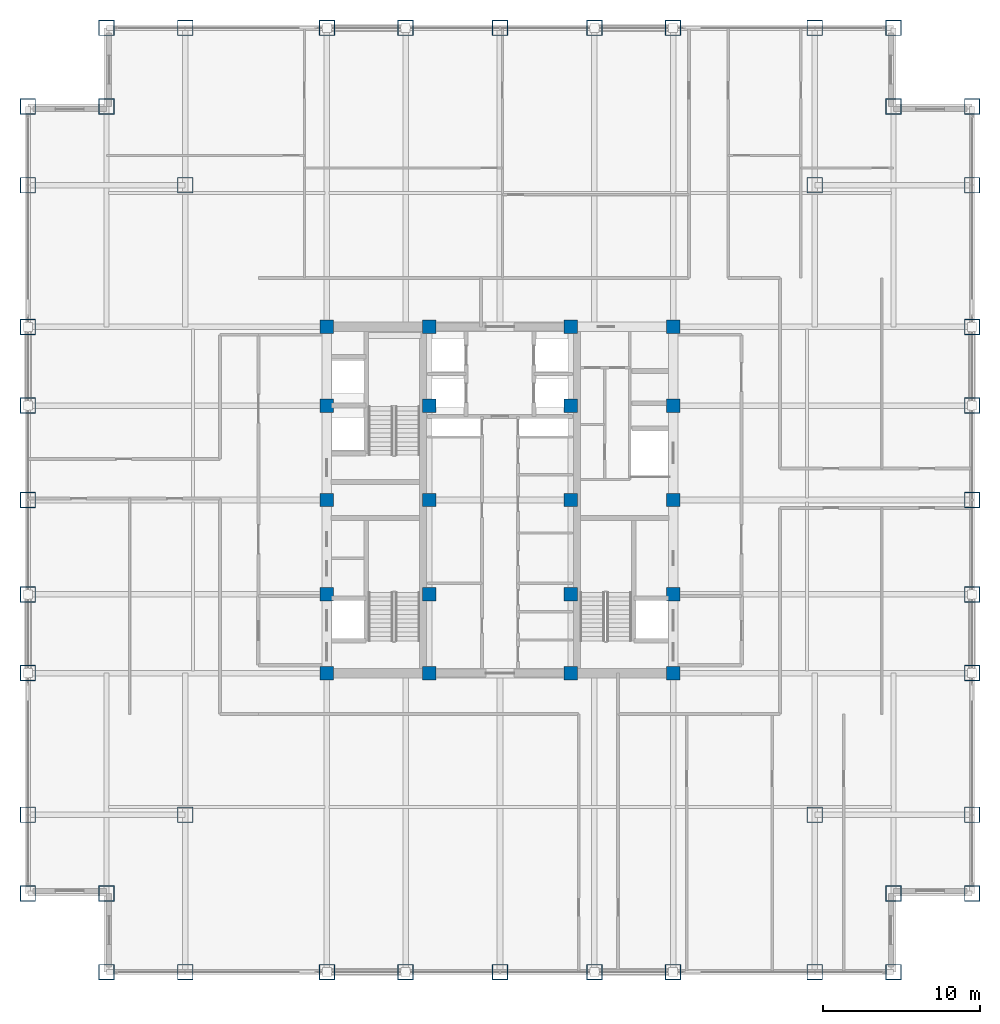
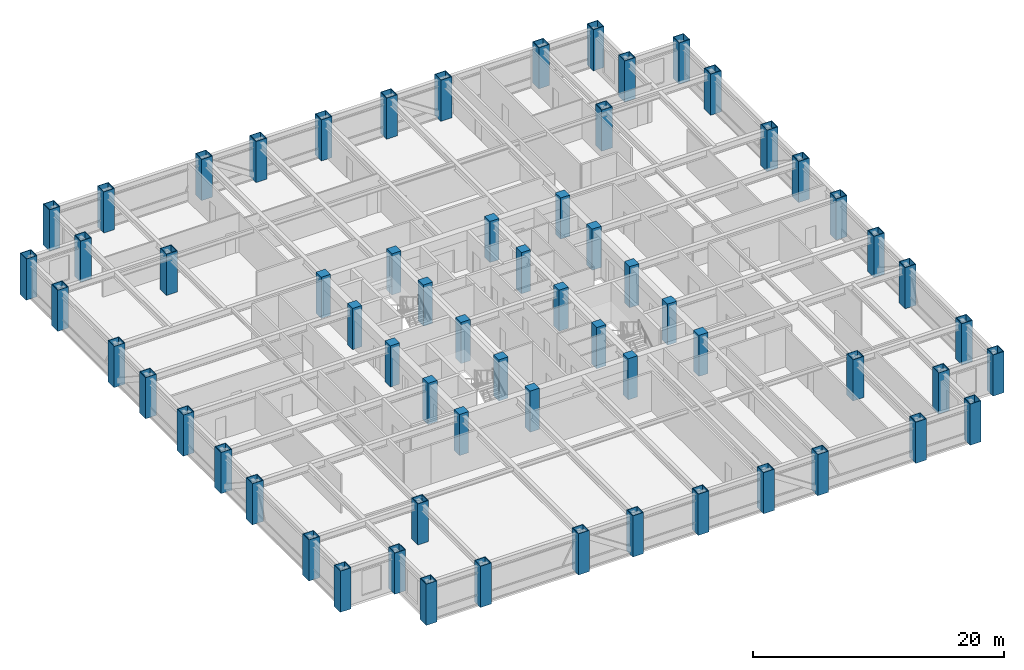
# One storey, part 1 of 25: 64 columns.
"""IFC4 building model written with IfcOpenShell, lengths in metres."""

import ifcopenshell
import ifcopenshell.guid

model = None  # the IFC model being written
_history = None  # IfcOwnerHistory: only IFC2X3 demands one
_inside = {}  # id of a spatial element -> (the spatial element, [elements in it])
_under = {}  # id of a project, library or spatial element -> (it, [spatial elements below it])
_declared = {}  # id of a project -> (the project, [libraries it declares])
_typed = {}  # id of a type object -> (the type object, [elements of that type])
_made_of = {}  # id of a material, layer set ... -> (it, [elements and type objects made of it])


def new_model(schema):
    """Start an empty IFC model of exactly this schema.

    Asked for "IFC4X3", IfcOpenShell would pick the latest addendum, in which some entities
    have other attributes; the version numbers below select the first issue.
    IFC2X3 requires an IfcOwnerHistory on every rooted entity: one is made here for all.
    """
    global model, _history
    if schema == "IFC4X3":
        model = ifcopenshell.file(schema_version=(4, 3, 0, 0))
    else:
        model = ifcopenshell.file(schema=schema)
    _inside.clear()
    _under.clear()
    _declared.clear()
    _typed.clear()
    _made_of.clear()
    _history = None
    if model.schema == "IFC2X3":
        org = make("IfcOrganization", Name="unknown")
        user = make(
            "IfcPersonAndOrganization",
            ThePerson=make("IfcPerson", FamilyName="unknown"),
            TheOrganization=org,
        )
        app = make(
            "IfcApplication",
            ApplicationDeveloper=org,
            Version="unknown",
            ApplicationFullName="unknown",
            ApplicationIdentifier="unknown",
        )
        _history = make(
            "IfcOwnerHistory",
            OwningUser=user,
            OwningApplication=app,
            ChangeAction="ADDED",
            CreationDate=0,
        )
    return model


def make(cls, **values):
    """One entity of the class cls with the attributes given. An attribute that is None is left unset."""
    return model.create_entity(
        cls, **{name: value for name, value in values.items() if value is not None}
    )


def rooted(cls, **values):
    """An entity with a GlobalId (a new one), such as an element, a storey or a relation."""
    return make(cls, GlobalId=ifcopenshell.guid.new(), OwnerHistory=_history, **values)


def si_unit(unit_type, name, prefix=None):
    """IfcSIUnit, for example si_unit("LENGTHUNIT", "METRE", prefix="MILLI")."""
    return make("IfcSIUnit", UnitType=unit_type, Prefix=prefix, Name=name)


def assignment(units):
    """IfcUnitAssignment: the units of a project."""
    return None if units is None else make("IfcUnitAssignment", Units=units)


def point(xyz):
    """IfcCartesianPoint."""
    return None if xyz is None else make("IfcCartesianPoint", Coordinates=xyz)


def direction(xyz):
    """IfcDirection."""
    return None if xyz is None else make("IfcDirection", DirectionRatios=xyz)


def frame(location, z_axis=None, x_axis=None):
    """IfcAxis2Placement3D, a coordinate frame: its origin and axes. An axis left out is left unset."""
    return make(
        "IfcAxis2Placement3D",
        Location=point(location),
        Axis=direction(z_axis),
        RefDirection=direction(x_axis),
    )


def frame_2d(location, x_axis=None):
    """IfcAxis2Placement2D, a coordinate frame in the plane: its origin and x axis."""
    return make(
        "IfcAxis2Placement2D", Location=point(location), RefDirection=direction(x_axis)
    )


def origin():
    """The frame at (0, 0, 0) with its axes left unset."""
    return frame((0.0, 0.0, 0.0))


def origin_2d():
    """The frame at (0, 0) in the plane with its x axis left unset."""
    return frame_2d((0.0, 0.0))


def place(relative_to, where):
    """IfcLocalPlacement: puts the frame where relative to a parent placement (None: the world)."""
    return make(
        "IfcLocalPlacement", PlacementRelTo=relative_to, RelativePlacement=where
    )


def context(
    kind, dimensions, precision=None, world=None, true_north=None, identifier=None
):
    """IfcGeometricRepresentationContext, for example the 3D "Model" context."""
    return make(
        "IfcGeometricRepresentationContext",
        ContextIdentifier=identifier,
        ContextType=kind,
        CoordinateSpaceDimension=dimensions,
        Precision=precision,
        WorldCoordinateSystem=world,
        TrueNorth=true_north,
    )


def subcontext(parent, identifier, kind, view, scale=None):
    """IfcGeometricRepresentationSubContext, for example "Body" below "Model"."""
    return make(
        "IfcGeometricRepresentationSubContext",
        ContextIdentifier=identifier,
        ContextType=kind,
        ParentContext=parent,
        TargetScale=scale,
        TargetView=view,
    )


def project(units=None, contexts=None):
    """IfcProject with its units and contexts."""
    return rooted(
        "IfcProject",
        Name="project",
        RepresentationContexts=contexts,
        UnitsInContext=assignment(units),
    )


def spatial(cls, under=None, at=None, **own):
    """A site, building, storey or space (cls), placed at a placement, below another one or the project."""
    s = rooted(cls, ObjectPlacement=at, **own)
    if under is not None:
        _under.setdefault(under.id(), (under, []))[1].append(s)
    return s


def profile(cls, at=None, kind="AREA", **sizes):
    """A parametric profile (cls). Its sizes go by their IFC names, for example OverallWidth=200.0."""
    return make(cls, ProfileType=kind, Position=at, **sizes)


def rectangle(**sizes):
    """IfcRectangleProfileDef."""
    return profile("IfcRectangleProfileDef", **sizes)


def hollow_rectangle(**sizes):
    """IfcRectangleHollowProfileDef."""
    return profile("IfcRectangleHollowProfileDef", **sizes)


def extrude(swept, where, along, depth):
    """IfcExtrudedAreaSolid: the profile swept, set in the frame where, extruded along a direction by depth."""
    return make(
        "IfcExtrudedAreaSolid",
        SweptArea=swept,
        Position=where,
        ExtrudedDirection=direction(along),
        Depth=depth,
    )


def shape(context_of_items, identifier, shape_type, items):
    """IfcShapeRepresentation: the items that make up one representation, for example the "Body"."""
    return make(
        "IfcShapeRepresentation",
        ContextOfItems=context_of_items,
        RepresentationIdentifier=identifier,
        RepresentationType=shape_type,
        Items=items,
    )


def source(mapping_origin, context_of_items, identifier, shape_type, items):
    """IfcRepresentationMap: a shape defined once, which mapped items show again and again."""
    return make(
        "IfcRepresentationMap",
        MappingOrigin=mapping_origin,
        MappedRepresentation=shape(context_of_items, identifier, shape_type, items),
    )


def transform(
    local_origin,
    x_axis=None,
    y_axis=None,
    z_axis=None,
    scale=None,
    scale2=None,
    scale3=None,
    uniform=True,
):
    """IfcCartesianTransformationOperator3D, or its non-uniform kind. x_axis, y_axis, z_axis: its Axis1, 2, 3."""
    if uniform:
        return make(
            "IfcCartesianTransformationOperator3D",
            Axis1=direction(x_axis),
            Axis2=direction(y_axis),
            LocalOrigin=point(local_origin),
            Scale=scale,
            Axis3=direction(z_axis),
        )
    return make(
        "IfcCartesianTransformationOperator3DnonUniform",
        Axis1=direction(x_axis),
        Axis2=direction(y_axis),
        LocalOrigin=point(local_origin),
        Scale=scale,
        Axis3=direction(z_axis),
        Scale2=scale2,
        Scale3=scale3,
    )


def mapped(mapping_source, mapping_target):
    """IfcMappedItem: shows the shape of a source again, moved by a transform."""
    return make(
        "IfcMappedItem", MappingSource=mapping_source, MappingTarget=mapping_target
    )


def material(Name=None, Category=None):
    """IfcMaterial."""
    return make("IfcMaterial", Name=Name, Category=Category)


def material_profile(
    of_material, cross_section, Name=None, Category=None, Priority=None
):
    """IfcMaterialProfile: a cross section and its material."""
    return make(
        "IfcMaterialProfile",
        Name=Name,
        Material=of_material,
        Profile=cross_section,
        Priority=Priority,
        Category=Category,
    )


def profile_set(profiles, Name=None, composite=None):
    """IfcMaterialProfileSet."""
    return make(
        "IfcMaterialProfileSet",
        Name=Name,
        MaterialProfiles=profiles,
        CompositeProfile=composite,
    )


def made_of(thing, what):
    """Note that an element or type object is made of a material, layer set ...; save() writes the relation."""
    if what is not None:
        _made_of.setdefault(what.id(), (what, []))[1].append(thing)
    return thing


def type_object(cls, material=None, **own):
    """A type object (cls), such as IfcWallType, which elements share."""
    return made_of(rooted(cls, **own), material)


def element(
    cls,
    number,
    at=None,
    inside=None,
    cuts=None,
    type_object=None,
    material=None,
    context=None,
    identifier="Body",
    shape_type=None,
    held_by="IfcProductDefinitionShape",
    body=None,
    shapes=None,
    **own,
):
    """One element of the class cls, such as IfcWall. Its Tag is "e" and its number.

    at: its placement. inside: the storey or other place that contains it. cuts: it is an
    opening in that element (IfcRelVoidsElement). A single representation is given by context,
    identifier, shape_type and body (its items); several are given by shapes. held_by: the class
    of the entity that holds the representations. save() writes the other relations.
    """
    e = rooted(cls, Tag="e%d" % number, ObjectPlacement=at, **own)
    if body is not None:
        shapes = [shape(context, identifier, shape_type, body)]
    if shapes is not None:
        e.Representation = make(held_by, Representations=shapes)
    if inside is not None:
        _inside.setdefault(inside.id(), (inside, []))[1].append(e)
    if cuts is not None:
        rooted(
            "IfcRelVoidsElement", RelatingBuildingElement=cuts, RelatedOpeningElement=e
        )
    if type_object is not None:
        _typed.setdefault(type_object.id(), (type_object, []))[1].append(e)
    return made_of(e, material)


def aggregate(whole, parts):
    """IfcRelAggregates: a whole, such as a stair, and the parts it consists of."""
    return rooted("IfcRelAggregates", RelatingObject=whole, RelatedObjects=parts)


def save(model, path):
    """Write the relations noted so far, then the file.

    IfcRelAggregates (storeys below a building ...), IfcRelContainedInSpatialStructure (elements
    in a storey), IfcRelDefinesByType, IfcRelAssociatesMaterial and IfcRelDeclares: one each for
    every whole, place, type object, material and project.
    """
    for whole, parts in _under.values():
        aggregate(whole, parts)
    for where, things in _inside.values():
        rooted(
            "IfcRelContainedInSpatialStructure",
            RelatedElements=things,
            RelatingStructure=where,
        )
    for kind, things in _typed.values():
        rooted("IfcRelDefinesByType", RelatedObjects=things, RelatingType=kind)
    for what, things in _made_of.values():
        rooted("IfcRelAssociatesMaterial", RelatedObjects=things, RelatingMaterial=what)
    for by, libraries in _declared.values():
        rooted("IfcRelDeclares", RelatingContext=by, RelatedDefinitions=libraries)
    model.write(path)


model = new_model("IFC4")

# Units and contexts
model_context = context("Model", 3, precision=1e-05, world=origin(), true_north=direction((0.0, 1.0)))
body_context = subcontext(model_context, "Body", "Model", "MODEL_VIEW")
ifc_project = project(units=[si_unit("LENGTHUNIT", "METRE"), si_unit("AREAUNIT", "SQUARE_METRE"), si_unit("VOLUMEUNIT", "CUBIC_METRE"), si_unit("PLANEANGLEUNIT", "RADIAN"), si_unit("MASSUNIT", "GRAM", prefix="KILO")], contexts=[model_context])

# Site, building, storey
site_placement = place(None, origin())
site = spatial("IfcSite", under=ifc_project, at=site_placement, CompositionType="ELEMENT")
building_placement = place(site_placement, origin())
building = spatial("IfcBuilding", under=site, at=building_placement, Name="Khorayat Bourse Tower", CompositionType="ELEMENT")
storey_placement = place(building_placement, frame((0.0, 0.0, 227.10009765625)))
storey = spatial("IfcBuildingStorey", under=building, at=storey_placement, Name="L53", CompositionType="ELEMENT", Elevation=227.10009765625)

# Columns
ifc_material_1 = material(Name="Concrete C60/75", Category="concrete")
ifc_material_profile_1 = material_profile(ifc_material_1, rectangle(XDim=0.85009765625, YDim=0.85009765625, at=origin_2d()), Name="RC 850x850")
ifc_profile_set_1 = profile_set([ifc_material_profile_1], Name="Concrete C60/75")
column_type_1 = type_object("IfcColumnType", Name="COL-CORE-850", PredefinedType="COLUMN", material=ifc_profile_set_1)
shared_shape_1 = source(origin(), body_context, "Body", "SweptSolid", [
    extrude(rectangle(XDim=0.85009765625, YDim=0.85009765625, at=origin_2d()), origin(), (0.0, 0.0, 1.0), 4.0),
])
for number, where, z_axis, x_axis, name in (
    (1, (-11.0, -11.0, 0.0), (0.0, 0.0, 1.0), (1.0, 0.0, 0.0), "L53 Column 019"),
    (2, (-11.0, -6.0, 0.0), (0.0, 0.0, 1.0), (1.0, 0.0, 0.0), "L53 Column 020"),
    (3, (-11.0, 0.0, 0.0), (0.0, 0.0, 1.0), (1.0, 0.0, 0.0), "L53 Column 021"),
    (4, (-11.0, 6.0, 0.0), (0.0, 0.0, 1.0), (1.0, 0.0, 0.0), "L53 Column 022"),
    (5, (-11.0, 11.0, 0.0), (0.0, 0.0, 1.0), (1.0, 0.0, 0.0), "L53 Column 023"),
    (6, (-4.5, -11.0, 0.0), (0.0, 0.0, 1.0), (1.0, 0.0, 0.0), "L53 Column 027"),
    (7, (-4.5, -6.0, 0.0), (0.0, 0.0, 1.0), (1.0, 0.0, 0.0), "L53 Column 028"),
    (8, (-4.5, 0.0, 0.0), (0.0, 0.0, 1.0), (1.0, 0.0, 0.0), "L53 Column 029"),
    (9, (-4.5, 6.0, 0.0), (0.0, 0.0, 1.0), (1.0, 0.0, 0.0), "L53 Column 030"),
    (10, (-4.5, 11.0, 0.0), (0.0, 0.0, 1.0), (1.0, 0.0, 0.0), "L53 Column 031"),
    (11, (4.5, -11.0, 0.0), (0.0, 0.0, 1.0), (1.0, 0.0, 0.0), "L53 Column 034"),
    (12, (4.5, -6.0, 0.0), (0.0, 0.0, 1.0), (1.0, 0.0, 0.0), "L53 Column 035"),
    (13, (4.5, 0.0, 0.0), (0.0, 0.0, 1.0), (1.0, 0.0, 0.0), "L53 Column 036"),
    (14, (4.5, 6.0, 0.0), (0.0, 0.0, 1.0), (1.0, 0.0, 0.0), "L53 Column 037"),
    (15, (4.5, 11.0, 0.0), (0.0, 0.0, 1.0), (1.0, 0.0, 0.0), "L53 Column 038"),
    (16, (11.0, -11.0, 0.0), (0.0, 0.0, 1.0), (1.0, 0.0, 0.0), "L53 Column 042"),
    (17, (11.0, -6.0, 0.0), (0.0, 0.0, 1.0), (1.0, 0.0, 0.0), "L53 Column 043"),
    (18, (11.0, 0.0, 0.0), (0.0, 0.0, 1.0), (1.0, 0.0, 0.0), "L53 Column 044"),
    (19, (11.0, 6.0, 0.0), (0.0, 0.0, 1.0), (1.0, 0.0, 0.0), "L53 Column 045"),
    (20, (11.0, 11.0, 0.0), (0.0, 0.0, 1.0), (1.0, 0.0, 0.0), "L53 Column 046"),
):
    element("IfcColumn", number, at=place(storey_placement, frame(where, z_axis=z_axis, x_axis=x_axis)), inside=storey, type_object=column_type_1, Name=name, PredefinedType="COLUMN", context=body_context, shape_type="MappedRepresentation", body=[
        mapped(shared_shape_1, transform((0.0, 0.0, 0.0), scale=1.0)),
    ])
ifc_material_2 = material(Name="Steel EN 10025-4 S460M", Category="steel")
ifc_material_profile_2 = material_profile(ifc_material_2, hollow_rectangle(XDim=1.0, YDim=1.0, WallThickness=0.054931640625, at=origin_2d()), Name="BOX 1000x1000x55")
ifc_profile_set_2 = profile_set([ifc_material_profile_2], Name="Steel EN 10025-4 S460M")
column_type_2 = type_object("IfcColumnType", Name="COL-TUBE-1000", PredefinedType="COLUMN", material=ifc_profile_set_2)
shared_shape_2 = source(origin(), body_context, "Body", "SweptSolid", [
    extrude(hollow_rectangle(XDim=1.0, YDim=1.0, WallThickness=0.054931640625, at=origin_2d()), origin(), (0.0, 0.0, 1.0), 4.0),
])
for number, where, z_axis, x_axis, name in (
    (21, (-30.0, -25.0, 0.0), (0.0, 0.0, 1.0), (1.0, 0.0, 0.0), "L53 Column 001"),
    (22, (-30.0, -20.0, 0.0), (0.0, 0.0, 1.0), (1.0, 0.0, 0.0), "L53 Column 002"),
    (23, (-30.0, -11.0, 0.0), (0.0, 0.0, 1.0), (1.0, 0.0, 0.0), "L53 Column 003"),
    (24, (-30.0, -6.0, 0.0), (0.0, 0.0, 1.0), (1.0, 0.0, 0.0), "L53 Column 004"),
    (25, (-30.0, 0.0, 0.0), (0.0, 0.0, 1.0), (1.0, 0.0, 0.0), "L53 Column 005"),
    (26, (-30.0, 6.0, 0.0), (0.0, 0.0, 1.0), (1.0, 0.0, 0.0), "L53 Column 006"),
    (27, (-30.0, 11.0, 0.0), (0.0, 0.0, 1.0), (1.0, 0.0, 0.0), "L53 Column 007"),
    (28, (-30.0, 20.0, 0.0), (0.0, 0.0, 1.0), (1.0, 0.0, 0.0), "L53 Column 008"),
    (29, (-30.0, 25.0, 0.0), (0.0, 0.0, 1.0), (1.0, 0.0, 0.0), "L53 Column 009"),
    (30, (-25.0, -30.0, 0.0), (0.0, 0.0, 1.0), (1.0, 0.0, 0.0), "L53 Column 010"),
    (31, (-25.0, -25.0, 0.0), (0.0, 0.0, 1.0), (1.0, 0.0, 0.0), "L53 Column 011"),
    (32, (-25.0, 25.0, 0.0), (0.0, 0.0, 1.0), (1.0, 0.0, 0.0), "L53 Column 012"),
    (33, (-25.0, 30.0, 0.0), (0.0, 0.0, 1.0), (1.0, 0.0, 0.0), "L53 Column 013"),
    (34, (-20.0, -30.0, 0.0), (0.0, 0.0, 1.0), (1.0, 0.0, 0.0), "L53 Column 014"),
    (35, (-20.0, -20.0, 0.0), (0.0, 0.0, 1.0), (1.0, 0.0, 0.0), "L53 Column 015"),
    (36, (-20.0, 20.0, 0.0), (0.0, 0.0, 1.0), (1.0, 0.0, 0.0), "L53 Column 016"),
    (37, (-20.0, 30.0, 0.0), (0.0, 0.0, 1.0), (1.0, 0.0, 0.0), "L53 Column 017"),
    (38, (-11.0, -30.0, 0.0), (0.0, 0.0, 1.0), (1.0, 0.0, 0.0), "L53 Column 018"),
    (39, (-11.0, 30.0, 0.0), (0.0, 0.0, 1.0), (1.0, 0.0, 0.0), "L53 Column 024"),
    (40, (-6.0, -30.0, 0.0), (0.0, 0.0, 1.0), (1.0, 0.0, 0.0), "L53 Column 025"),
    (41, (-6.0, 30.0, 0.0), (0.0, 0.0, 1.0), (1.0, 0.0, 0.0), "L53 Column 026"),
    (42, (0.0, -30.0, 0.0), (0.0, 0.0, 1.0), (1.0, 0.0, 0.0), "L53 Column 032"),
    (43, (0.0, 30.0, 0.0), (0.0, 0.0, 1.0), (1.0, 0.0, 0.0), "L53 Column 033"),
    (44, (6.0, -30.0, 0.0), (0.0, 0.0, 1.0), (1.0, 0.0, 0.0), "L53 Column 039"),
    (45, (6.0, 30.0, 0.0), (0.0, 0.0, 1.0), (1.0, 0.0, 0.0), "L53 Column 040"),
    (46, (11.0, -30.0, 0.0), (0.0, 0.0, 1.0), (1.0, 0.0, 0.0), "L53 Column 041"),
    (47, (11.0, 30.0, 0.0), (0.0, 0.0, 1.0), (1.0, 0.0, 0.0), "L53 Column 047"),
    (48, (20.0, -30.0, 0.0), (0.0, 0.0, 1.0), (1.0, 0.0, 0.0), "L53 Column 048"),
    (49, (20.0, -20.0, 0.0), (0.0, 0.0, 1.0), (1.0, 0.0, 0.0), "L53 Column 049"),
    (50, (20.0, 20.0, 0.0), (0.0, 0.0, 1.0), (1.0, 0.0, 0.0), "L53 Column 050"),
    (51, (20.0, 30.0, 0.0), (0.0, 0.0, 1.0), (1.0, 0.0, 0.0), "L53 Column 051"),
    (52, (25.0, -30.0, 0.0), (0.0, 0.0, 1.0), (1.0, 0.0, 0.0), "L53 Column 052"),
    (53, (25.0, -25.0, 0.0), (0.0, 0.0, 1.0), (1.0, 0.0, 0.0), "L53 Column 053"),
    (54, (25.0, 25.0, 0.0), (0.0, 0.0, 1.0), (1.0, 0.0, 0.0), "L53 Column 054"),
    (55, (25.0, 30.0, 0.0), (0.0, 0.0, 1.0), (1.0, 0.0, 0.0), "L53 Column 055"),
    (56, (30.0, -25.0, 0.0), (0.0, 0.0, 1.0), (1.0, 0.0, 0.0), "L53 Column 056"),
    (57, (30.0, -20.0, 0.0), (0.0, 0.0, 1.0), (1.0, 0.0, 0.0), "L53 Column 057"),
    (58, (30.0, -11.0, 0.0), (0.0, 0.0, 1.0), (1.0, 0.0, 0.0), "L53 Column 058"),
    (59, (30.0, -6.0, 0.0), (0.0, 0.0, 1.0), (1.0, 0.0, 0.0), "L53 Column 059"),
    (60, (30.0, 0.0, 0.0), (0.0, 0.0, 1.0), (1.0, 0.0, 0.0), "L53 Column 060"),
    (61, (30.0, 6.0, 0.0), (0.0, 0.0, 1.0), (1.0, 0.0, 0.0), "L53 Column 061"),
    (62, (30.0, 11.0, 0.0), (0.0, 0.0, 1.0), (1.0, 0.0, 0.0), "L53 Column 062"),
    (63, (30.0, 20.0, 0.0), (0.0, 0.0, 1.0), (1.0, 0.0, 0.0), "L53 Column 063"),
    (64, (30.0, 25.0, 0.0), (0.0, 0.0, 1.0), (1.0, 0.0, 0.0), "L53 Column 064"),
):
    element("IfcColumn", number, at=place(storey_placement, frame(where, z_axis=z_axis, x_axis=x_axis)), inside=storey, type_object=column_type_2, Name=name, PredefinedType="COLUMN", context=body_context, shape_type="MappedRepresentation", body=[
        mapped(shared_shape_2, transform((0.0, 0.0, 0.0), scale=1.0)),
    ])

save(model, "model.ifc")
